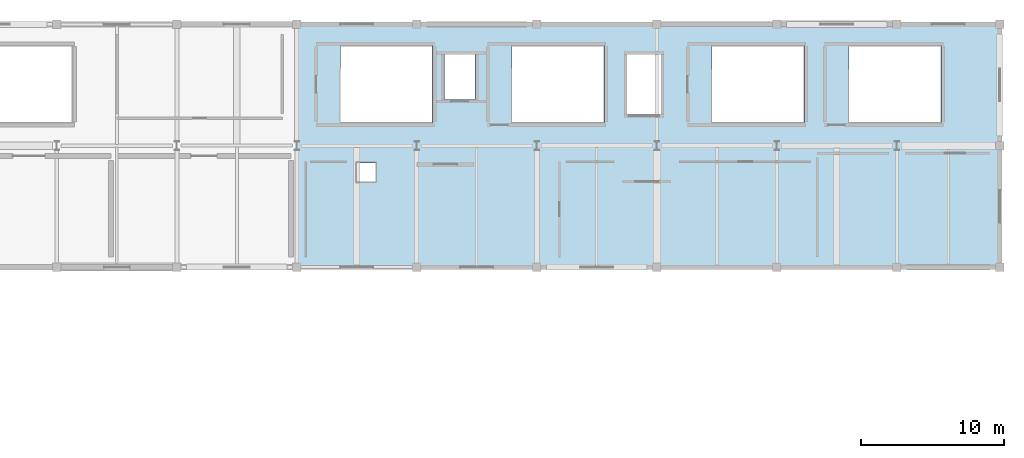
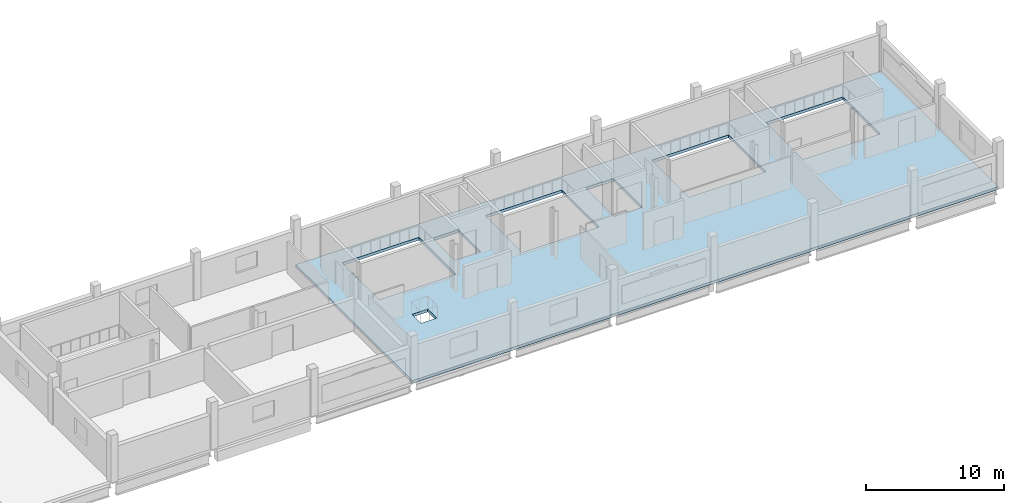
# One storey, part 7 of 13: 1 slab.
"""IFC4 building model written with IfcOpenShell, lengths in metres."""

import ifcopenshell
import ifcopenshell.guid

model = None  # the IFC model being written
_history = None  # IfcOwnerHistory: only IFC2X3 demands one
_inside = {}  # id of a spatial element -> (the spatial element, [elements in it])
_under = {}  # id of a project, library or spatial element -> (it, [spatial elements below it])
_declared = {}  # id of a project -> (the project, [libraries it declares])
_typed = {}  # id of a type object -> (the type object, [elements of that type])
_made_of = {}  # id of a material, layer set ... -> (it, [elements and type objects made of it])


def new_model(schema):
    """Start an empty IFC model of exactly this schema.

    Asked for "IFC4X3", IfcOpenShell would pick the latest addendum, in which some entities
    have other attributes; the version numbers below select the first issue.
    IFC2X3 requires an IfcOwnerHistory on every rooted entity: one is made here for all.
    """
    global model, _history
    if schema == "IFC4X3":
        model = ifcopenshell.file(schema_version=(4, 3, 0, 0))
    else:
        model = ifcopenshell.file(schema=schema)
    _inside.clear()
    _under.clear()
    _declared.clear()
    _typed.clear()
    _made_of.clear()
    _history = None
    if model.schema == "IFC2X3":
        org = make("IfcOrganization", Name="unknown")
        user = make(
            "IfcPersonAndOrganization",
            ThePerson=make("IfcPerson", FamilyName="unknown"),
            TheOrganization=org,
        )
        app = make(
            "IfcApplication",
            ApplicationDeveloper=org,
            Version="unknown",
            ApplicationFullName="unknown",
            ApplicationIdentifier="unknown",
        )
        _history = make(
            "IfcOwnerHistory",
            OwningUser=user,
            OwningApplication=app,
            ChangeAction="ADDED",
            CreationDate=0,
        )
    return model


def make(cls, **values):
    """One entity of the class cls with the attributes given. An attribute that is None is left unset."""
    return model.create_entity(
        cls, **{name: value for name, value in values.items() if value is not None}
    )


def rooted(cls, **values):
    """An entity with a GlobalId (a new one), such as an element, a storey or a relation."""
    return make(cls, GlobalId=ifcopenshell.guid.new(), OwnerHistory=_history, **values)


def si_unit(unit_type, name, prefix=None):
    """IfcSIUnit, for example si_unit("LENGTHUNIT", "METRE", prefix="MILLI")."""
    return make("IfcSIUnit", UnitType=unit_type, Prefix=prefix, Name=name)


def assignment(units):
    """IfcUnitAssignment: the units of a project."""
    return None if units is None else make("IfcUnitAssignment", Units=units)


def point(xyz):
    """IfcCartesianPoint."""
    return None if xyz is None else make("IfcCartesianPoint", Coordinates=xyz)


def direction(xyz):
    """IfcDirection."""
    return None if xyz is None else make("IfcDirection", DirectionRatios=xyz)


def frame(location, z_axis=None, x_axis=None):
    """IfcAxis2Placement3D, a coordinate frame: its origin and axes. An axis left out is left unset."""
    return make(
        "IfcAxis2Placement3D",
        Location=point(location),
        Axis=direction(z_axis),
        RefDirection=direction(x_axis),
    )


def origin():
    """The frame at (0, 0, 0) with its axes left unset."""
    return frame((0.0, 0.0, 0.0))


def place(relative_to, where):
    """IfcLocalPlacement: puts the frame where relative to a parent placement (None: the world)."""
    return make(
        "IfcLocalPlacement", PlacementRelTo=relative_to, RelativePlacement=where
    )


def context(
    kind, dimensions, precision=None, world=None, true_north=None, identifier=None
):
    """IfcGeometricRepresentationContext, for example the 3D "Model" context."""
    return make(
        "IfcGeometricRepresentationContext",
        ContextIdentifier=identifier,
        ContextType=kind,
        CoordinateSpaceDimension=dimensions,
        Precision=precision,
        WorldCoordinateSystem=world,
        TrueNorth=true_north,
    )


def subcontext(parent, identifier, kind, view, scale=None):
    """IfcGeometricRepresentationSubContext, for example "Body" below "Model"."""
    return make(
        "IfcGeometricRepresentationSubContext",
        ContextIdentifier=identifier,
        ContextType=kind,
        ParentContext=parent,
        TargetScale=scale,
        TargetView=view,
    )


def project(units=None, contexts=None):
    """IfcProject with its units and contexts."""
    return rooted(
        "IfcProject",
        Name="project",
        RepresentationContexts=contexts,
        UnitsInContext=assignment(units),
    )


def spatial(cls, under=None, at=None, **own):
    """A site, building, storey or space (cls), placed at a placement, below another one or the project."""
    s = rooted(cls, ObjectPlacement=at, **own)
    if under is not None:
        _under.setdefault(under.id(), (under, []))[1].append(s)
    return s


def polyline(points):
    """IfcPolyline through the points."""
    return make("IfcPolyline", Points=[point(p) for p in points])


def outline(outer, holes=None, kind="AREA"):
    """IfcArbitraryClosedProfileDef: a profile drawn as a closed curve; with holes, ...WithVoids."""
    if holes is None:
        return make("IfcArbitraryClosedProfileDef", ProfileType=kind, OuterCurve=outer)
    return make(
        "IfcArbitraryProfileDefWithVoids",
        ProfileType=kind,
        OuterCurve=outer,
        InnerCurves=holes,
    )


def extrude(swept, where, along, depth):
    """IfcExtrudedAreaSolid: the profile swept, set in the frame where, extruded along a direction by depth."""
    return make(
        "IfcExtrudedAreaSolid",
        SweptArea=swept,
        Position=where,
        ExtrudedDirection=direction(along),
        Depth=depth,
    )


def shape(context_of_items, identifier, shape_type, items):
    """IfcShapeRepresentation: the items that make up one representation, for example the "Body"."""
    return make(
        "IfcShapeRepresentation",
        ContextOfItems=context_of_items,
        RepresentationIdentifier=identifier,
        RepresentationType=shape_type,
        Items=items,
    )


def material(Name=None, Category=None):
    """IfcMaterial."""
    return make("IfcMaterial", Name=Name, Category=Category)


def layer(
    of_material, thickness, ventilated=None, Name=None, Category=None, Priority=None
):
    """IfcMaterialLayer: one layer of a wall or slab, of a material (None: an air gap)."""
    return make(
        "IfcMaterialLayer",
        Material=of_material,
        LayerThickness=thickness,
        IsVentilated=ventilated,
        Name=Name,
        Category=Category,
        Priority=Priority,
    )


def layer_set(layers, Name=None):
    """IfcMaterialLayerSet."""
    return make("IfcMaterialLayerSet", MaterialLayers=layers, LayerSetName=Name)


def made_of(thing, what):
    """Note that an element or type object is made of a material, layer set ...; save() writes the relation."""
    if what is not None:
        _made_of.setdefault(what.id(), (what, []))[1].append(thing)
    return thing


def type_object(cls, material=None, **own):
    """A type object (cls), such as IfcWallType, which elements share."""
    return made_of(rooted(cls, **own), material)


def element(
    cls,
    number,
    at=None,
    inside=None,
    cuts=None,
    type_object=None,
    material=None,
    context=None,
    identifier="Body",
    shape_type=None,
    held_by="IfcProductDefinitionShape",
    body=None,
    shapes=None,
    **own,
):
    """One element of the class cls, such as IfcWall. Its Tag is "e" and its number.

    at: its placement. inside: the storey or other place that contains it. cuts: it is an
    opening in that element (IfcRelVoidsElement). A single representation is given by context,
    identifier, shape_type and body (its items); several are given by shapes. held_by: the class
    of the entity that holds the representations. save() writes the other relations.
    """
    e = rooted(cls, Tag="e%d" % number, ObjectPlacement=at, **own)
    if body is not None:
        shapes = [shape(context, identifier, shape_type, body)]
    if shapes is not None:
        e.Representation = make(held_by, Representations=shapes)
    if inside is not None:
        _inside.setdefault(inside.id(), (inside, []))[1].append(e)
    if cuts is not None:
        rooted(
            "IfcRelVoidsElement", RelatingBuildingElement=cuts, RelatedOpeningElement=e
        )
    if type_object is not None:
        _typed.setdefault(type_object.id(), (type_object, []))[1].append(e)
    return made_of(e, material)


def aggregate(whole, parts):
    """IfcRelAggregates: a whole, such as a stair, and the parts it consists of."""
    return rooted("IfcRelAggregates", RelatingObject=whole, RelatedObjects=parts)


def save(model, path):
    """Write the relations noted so far, then the file.

    IfcRelAggregates (storeys below a building ...), IfcRelContainedInSpatialStructure (elements
    in a storey), IfcRelDefinesByType, IfcRelAssociatesMaterial and IfcRelDeclares: one each for
    every whole, place, type object, material and project.
    """
    for whole, parts in _under.values():
        aggregate(whole, parts)
    for where, things in _inside.values():
        rooted(
            "IfcRelContainedInSpatialStructure",
            RelatedElements=things,
            RelatingStructure=where,
        )
    for kind, things in _typed.values():
        rooted("IfcRelDefinesByType", RelatedObjects=things, RelatingType=kind)
    for what, things in _made_of.values():
        rooted("IfcRelAssociatesMaterial", RelatedObjects=things, RelatingMaterial=what)
    for by, libraries in _declared.values():
        rooted("IfcRelDeclares", RelatingContext=by, RelatedDefinitions=libraries)
    model.write(path)


model = new_model("IFC4")

# Units and contexts
model_context = context("Model", 3, precision=1e-05, world=origin(), true_north=direction((0.0, 1.0)))
body_context = subcontext(model_context, "Body", "Model", "MODEL_VIEW")
ifc_project = project(units=[si_unit("LENGTHUNIT", "METRE"), si_unit("AREAUNIT", "SQUARE_METRE"), si_unit("VOLUMEUNIT", "CUBIC_METRE"), si_unit("PLANEANGLEUNIT", "RADIAN"), si_unit("MASSUNIT", "GRAM", prefix="KILO")], contexts=[model_context])

# Site, building, storey
site_placement = place(None, origin())
site = spatial("IfcSite", under=ifc_project, at=site_placement, CompositionType="ELEMENT")
building_placement = place(site_placement, origin())
building = spatial("IfcBuilding", under=site, at=building_placement, Name="Solvento Point Concert Hall", CompositionType="ELEMENT")
storey_placement = place(building_placement, frame((0.0, 0.0, 23.699951171875)))
storey = spatial("IfcBuildingStorey", under=building, at=storey_placement, Name="L05", CompositionType="ELEMENT", Elevation=23.699951171875)

# Slab
ifc_material = material(Name="Concrete C35/45", Category="concrete")
ifc_layer = layer(ifc_material, 0.25)
ifc_layer_set = layer_set([ifc_layer], Name="Concrete C35/45")
slab_type = type_object("IfcSlabType", Name="FloorSlab_255", PredefinedType="FLOOR", material=ifc_layer_set)
slab_placement = place(storey_placement, frame((0.0, 0.0, -0.25)))
element("IfcSlab", 1, at=slab_placement, inside=storey, type_object=slab_type, Name="Structural slab SL-L05 SLAB-L05-V5", PredefinedType="FLOOR", context=body_context, shape_type="SweptSolid", body=[
    extrude(outline(polyline([(166.800048828125, 136.0), (216.0, 136.0), (216.0, 119.0), (166.800048828125, 119.0), (166.800048828125, 136.0)]), holes=[polyline([(211.89990234375, 134.5), (205.449951171875, 134.5), (205.449951171875, 129.10009765625), (211.89990234375, 129.10009765625), (211.89990234375, 134.5)]), polyline([(195.85009765625, 134.5), (195.85009765625, 129.10009765625), (202.300048828125, 129.10009765625), (202.300048828125, 134.5), (195.85009765625, 134.5)]), polyline([(192.280029296875, 133.8798828125), (189.919921875, 133.8798828125), (189.919921875, 129.719970703125), (192.280029296875, 129.719970703125), (192.280029296875, 133.8798828125)]), polyline([(188.300048828125, 134.5), (181.85009765625, 134.5), (181.85009765625, 129.10009765625), (188.300048828125, 129.10009765625), (188.300048828125, 134.5)]), polyline([(179.280029296875, 133.8798828125), (177.1201171875, 133.8798828125), (177.1201171875, 130.719970703125), (179.280029296875, 130.719970703125), (179.280029296875, 133.8798828125)]), polyline([(169.85009765625, 134.5), (169.85009765625, 129.10009765625), (176.300048828125, 129.10009765625), (176.300048828125, 134.5), (169.85009765625, 134.5)]), polyline([(172.300048828125, 126.300048828125), (171.0, 126.300048828125), (171.0, 125.0), (172.300048828125, 125.0), (172.300048828125, 126.300048828125)])]), origin(), (0.0, 0.0, 1.0), 0.25),
])

save(model, "model.ifc")
